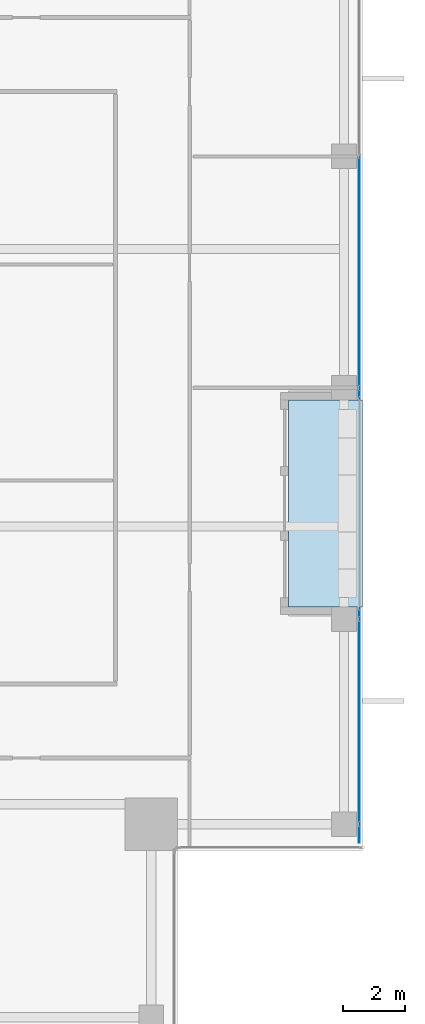
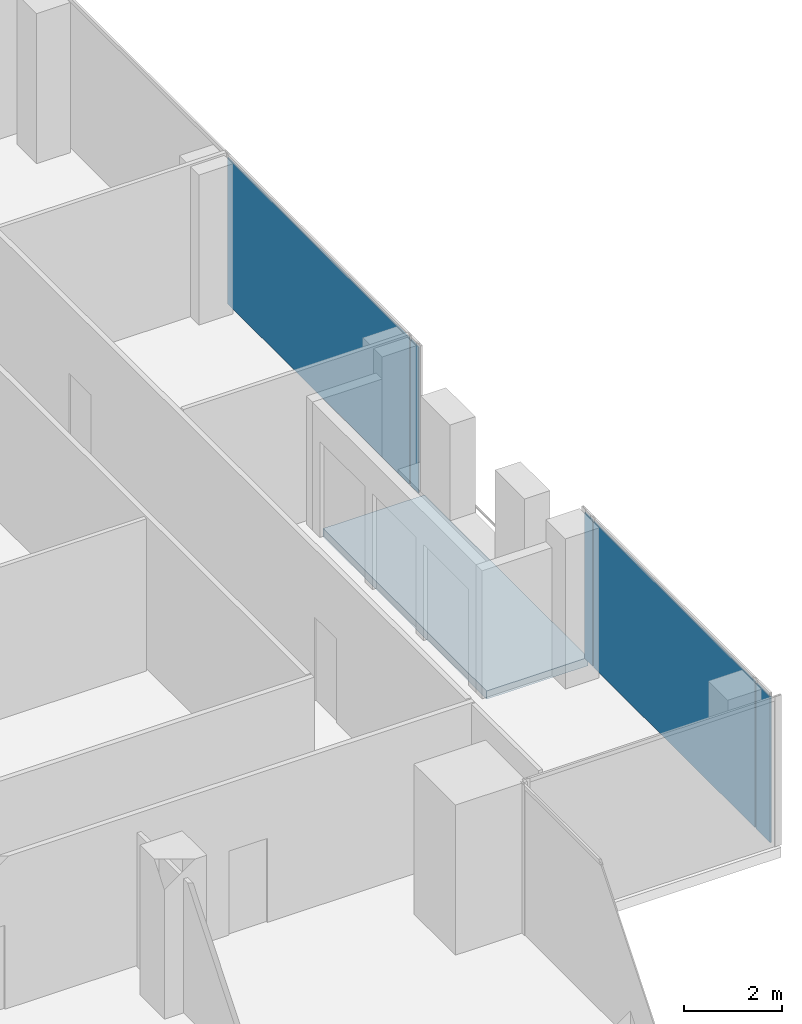
# One storey, part 21 of 29: 5 plates, 1 slab, 2 elements without a shape of their own.
"""IFC4 building model written with IfcOpenShell, lengths in metres."""

from ifc_helpers import new_model, si_unit, direction, frame, origin, origin_2d, place, context, subcontext, project, spatial, polyline, rectangle, outline, extrude, source, transform, mapped, material, layer, layer_set, type_object, element, aggregate, save


model = new_model("IFC4")

# Units and contexts
model_context = context("Model", 3, precision=1e-05, world=origin(), true_north=direction((0.0, 1.0)))
body_context = subcontext(model_context, "Body", "Model", "MODEL_VIEW")
ifc_project = project(units=[si_unit("LENGTHUNIT", "METRE"), si_unit("AREAUNIT", "SQUARE_METRE"), si_unit("VOLUMEUNIT", "CUBIC_METRE"), si_unit("PLANEANGLEUNIT", "RADIAN"), si_unit("MASSUNIT", "GRAM", prefix="KILO")], contexts=[model_context])

# Site, building, storey
site_placement = place(None, origin())
site = spatial("IfcSite", under=ifc_project, at=site_placement, CompositionType="ELEMENT")
building_placement = place(site_placement, origin())
building = spatial("IfcBuilding", under=site, at=building_placement, Name="Khomas Fold Tower", CompositionType="ELEMENT")
storey_placement = place(building_placement, frame((0.0, 0.0, 290.199951171875)))
storey = spatial("IfcBuildingStorey", under=building, at=storey_placement, Name="L65", CompositionType="ELEMENT", Elevation=290.199951171875)

# Curtain wall, plates
ifc_material_1 = material(Name="Aluminium framed double glazing", Category="aluminium")
curtain_wall_type = type_object("IfcCurtainWallType", Name="SK-Unitised clear-glass wall, upper floors CW3", PredefinedType="NOTDEFINED", material=ifc_material_1)
curtain_wall_1_placement = place(storey_placement, origin())
curtain_wall_1 = element("IfcCurtainWall", 1, at=curtain_wall_1_placement, inside=storey, type_object=curtain_wall_type, Name="CW3 run L65 03-0", PredefinedType="NOTDEFINED")
ifc_material_2 = material(Name="Clear double glazed unit")
ifc_layer_1 = layer(ifc_material_2, 0.028076171875)
ifc_layer_set_1 = layer_set([ifc_layer_1], Name="Clear double glazed unit")
plate_type = type_object("IfcPlateType", Name="SK-Unitised clear-glass wall, upper floors glass panel CW3-P", PredefinedType="CURTAIN_PANEL", material=ifc_layer_set_1)
shared_shape_1 = source(origin(), body_context, "Body", "SweptSolid", [
    extrude(rectangle(XDim=0.574951171875, YDim=0.028076171875, at=origin_2d()), origin(), (0.0, 0.0, 1.0), 3.64990234375),
])
plate_1_placement = place(storey_placement, frame((47.89990234375, 12.53759765625, 0.0), z_axis=(0.0, 0.0, 1.0), x_axis=(0.0, 1.0, 0.0)))
plate_1 = element("IfcPlate", 2, at=plate_1_placement, type_object=plate_type, Name="CW3 glass panel 1", PredefinedType="CURTAIN_PANEL", context=body_context, shape_type="MappedRepresentation", body=[
    mapped(shared_shape_1, transform((0.0, 0.0, 0.0))),
])
shared_shape_2 = source(origin(), body_context, "Body", "SweptSolid", [
    extrude(rectangle(XDim=6.60009765625, YDim=0.028076171875, at=origin_2d()), origin(), (0.0, 0.0, 1.0), 3.64990234375),
])
plate_2_placement = place(storey_placement, frame((47.89990234375, 16.175048828125, 0.0), z_axis=(0.0, 0.0, 1.0), x_axis=(0.0, 1.0, 0.0)))
plate_2 = element("IfcPlate", 3, at=plate_2_placement, type_object=plate_type, Name="CW3 glass panel 2", PredefinedType="CURTAIN_PANEL", context=body_context, shape_type="MappedRepresentation", body=[
    mapped(shared_shape_2, transform((0.0, 0.0, 0.0))),
])

# Curtain wall, plate
curtain_wall_2_placement = place(storey_placement, origin())
curtain_wall_2 = element("IfcCurtainWall", 4, at=curtain_wall_2_placement, inside=storey, type_object=curtain_wall_type, Name="CW3 run L65 03-1", PredefinedType="NOTDEFINED")
shared_shape_3 = source(origin(), body_context, "Body", "SweptSolid", [
    extrude(rectangle(XDim=7.449951171875, YDim=0.028076171875, at=origin_2d()), origin(), (0.0, 0.0, 1.0), 3.64990234375),
])
plate_3_placement = place(storey_placement, frame((47.89990234375, 30.75, 0.0), z_axis=(0.0, 0.0, 1.0), x_axis=(0.0, 1.0, 0.0)))
plate_3 = element("IfcPlate", 5, at=plate_3_placement, type_object=plate_type, Name="CW3 glass panel 2", PredefinedType="CURTAIN_PANEL", context=body_context, shape_type="MappedRepresentation", body=[
    mapped(shared_shape_3, transform((0.0, 0.0, 0.0))),
])

# Plate
shared_shape_4 = source(origin(), body_context, "Body", "SweptSolid", [
    extrude(rectangle(XDim=0.324951171875, YDim=0.028076171875, at=origin_2d()), origin(), (0.0, 0.0, 1.0), 3.64990234375),
])
plate_4_placement = place(storey_placement, frame((47.89990234375, 19.6875, 0.0), z_axis=(0.0, 0.0, 1.0), x_axis=(0.0, 1.0, 0.0)))
plate_4 = element("IfcPlate", 6, at=plate_4_placement, type_object=plate_type, Name="CW3 glass panel 3", PredefinedType="CURTAIN_PANEL", context=body_context, shape_type="MappedRepresentation", body=[
    mapped(shared_shape_4, transform((0.0, 0.0, 0.0))),
])

aggregate(curtain_wall_1, [plate_1, plate_2, plate_4])

plate_5_placement = place(storey_placement, frame((47.89990234375, 26.8125, 0.0), z_axis=(0.0, 0.0, 1.0), x_axis=(0.0, 1.0, 0.0)))
plate_5 = element("IfcPlate", 7, at=plate_5_placement, type_object=plate_type, Name="CW3 glass panel 1", PredefinedType="CURTAIN_PANEL", context=body_context, shape_type="MappedRepresentation", body=[
    mapped(shared_shape_4, transform((0.0, 0.0, 0.0))),
])

aggregate(curtain_wall_2, [plate_5, plate_3])

# Slab
ifc_material_3 = material(Name="Concrete C40/50", Category="concrete")
ifc_layer_2 = layer(ifc_material_3, 0.205078125)
ifc_layer_set_2 = layer_set([ifc_layer_2], Name="Concrete C40/50")
slab_type = type_object("IfcSlabType", Name="BL-Balcony deck 205", PredefinedType="FLOOR", material=ifc_layer_set_2)
shared_shape_5 = source(origin(), body_context, "Body", "SweptSolid", [
    extrude(outline(polyline([(45.60009765625, 19.89990234375), (48.0, 19.89990234375), (48.0, 26.60009765625), (45.60009765625, 26.60009765625), (45.60009765625, 19.89990234375)])), origin(), (0.0, 0.0, 1.0), 0.205078125),
])
slab_placement = place(storey_placement, frame((0.0, 0.0, -0.25)))
element("IfcSlab", 8, at=slab_placement, inside=storey, type_object=slab_type, Name="Balcony deck BAL-L65-E2", PredefinedType="FLOOR", context=body_context, shape_type="MappedRepresentation", body=[
    mapped(shared_shape_5, transform((0.0, 0.0, 0.0))),
])

save(model, "model.ifc")
